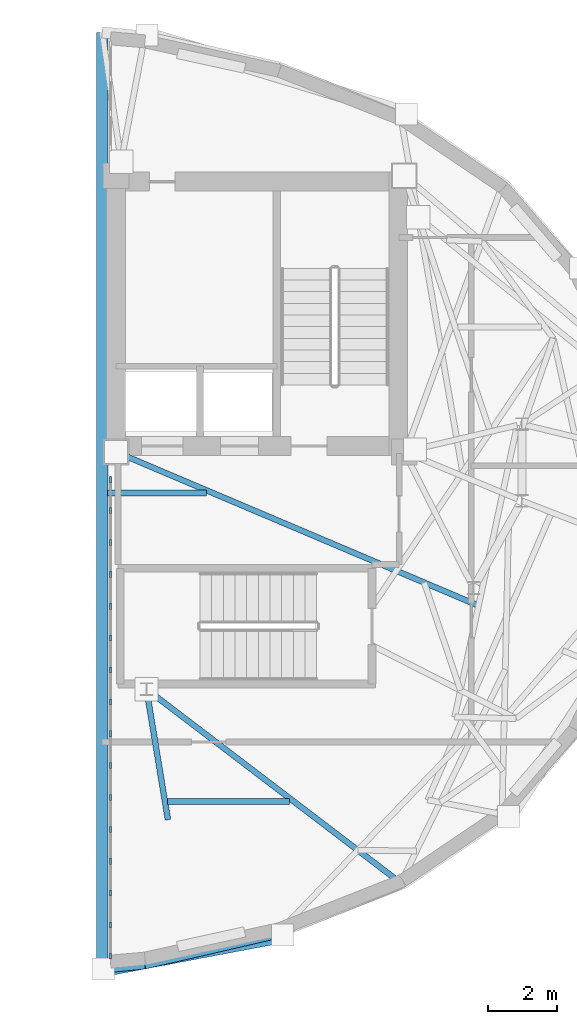
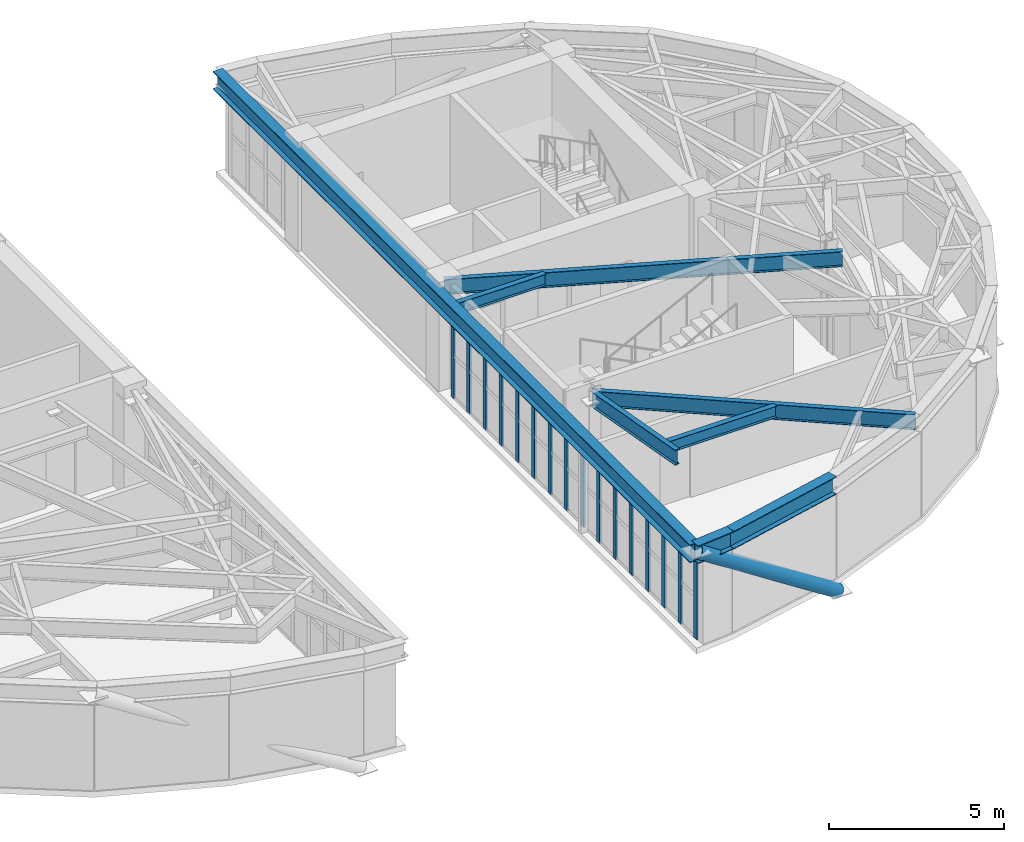
# One storey, part 3 of 13: 17 members, 8 beams, 1 element without a shape of its own.
"""IFC4 building model written with IfcOpenShell, lengths in metres."""

from ifc_helpers import new_model, si_unit, direction, frame, origin, origin_2d, place, context, subcontext, project, spatial, rectangle, hollow_circle, i_section, extrude, material, layer, layer_set, material_profile, profile_set, type_object, element, aggregate, save


model = new_model("IFC4")

# Units and contexts
model_context = context("Model", 3, precision=1e-05, world=origin(), true_north=direction((0.0, 1.0)))
body_context = subcontext(model_context, "Body", "Model", "MODEL_VIEW")
ifc_project = project(units=[si_unit("LENGTHUNIT", "METRE"), si_unit("AREAUNIT", "SQUARE_METRE"), si_unit("VOLUMEUNIT", "CUBIC_METRE"), si_unit("PLANEANGLEUNIT", "RADIAN"), si_unit("MASSUNIT", "GRAM", prefix="KILO")], contexts=[model_context])

# Site, building, storey
site_placement = place(None, origin())
site = spatial("IfcSite", under=ifc_project, at=site_placement, CompositionType="ELEMENT")
building_placement = place(site_placement, origin())
building = spatial("IfcBuilding", under=site, at=building_placement, Name="Keldmark Tower", CompositionType="ELEMENT")
storey_placement = place(building_placement, frame((0.0, 0.0, 273.0)))
storey = spatial("IfcBuildingStorey", under=building, at=storey_placement, Name="L77", CompositionType="ELEMENT", Elevation=273.0)

# Beams
ifc_material_1 = material(Name="Steel ASTM A992 Grade 50", Category="steel")
ifc_material_profile_1 = material_profile(ifc_material_1, i_section(OverallWidth=0.177978515625, OverallDepth=0.403076171875, WebThickness=0.007568359375, FlangeThickness=0.010986328125, at=origin_2d()), Name="W16X36")
ifc_profile_set_1 = profile_set([ifc_material_profile_1], Name="Steel ASTM A992 Grade 50")
beam_type_1 = type_object("IfcBeamType", Name="Composite Floor Joist W16X36", PredefinedType="JOIST", material=ifc_profile_set_1)
beam_1_placement = place(storey_placement, frame((6.70263671875, -8.780029296875, 3.3984375), z_axis=(1.0, 0.0, 0.0), x_axis=(0.0, 1.0, 0.0)))
element("IfcBeam", 1, at=beam_1_placement, inside=storey, type_object=beam_type_1, Name="L77 Composite Floor Joist J01", PredefinedType="JOIST", context=body_context, shape_type="SweptSolid", body=[
    extrude(i_section(OverallWidth=0.177978515625, OverallDepth=0.403076171875, WebThickness=0.007568359375, FlangeThickness=0.010986328125, at=origin_2d()), origin(), (0.0, 0.0, 1.0), 3.548095703125),
])
beam_2_placement = place(storey_placement, frame((4.95458984375, 0.199951171875, 3.3984375), z_axis=(1.0, 0.0, 0.0), x_axis=(0.0, 1.0, 0.0)))
element("IfcBeam", 2, at=beam_2_placement, inside=storey, type_object=beam_type_1, Name="L77 Composite Floor Joist J02", PredefinedType="JOIST", context=body_context, shape_type="SweptSolid", body=[
    extrude(i_section(OverallWidth=0.177978515625, OverallDepth=0.403076171875, WebThickness=0.007568359375, FlangeThickness=0.010986328125, at=origin_2d()), origin(), (0.0, 0.0, 1.0), 2.876708984375),
])

# Member
ifc_material_2 = material(Name="Steel ASTM A572 Grade 50", Category="steel")
ifc_material_profile_2 = material_profile(ifc_material_2, hollow_circle(Radius=0.22509765625, WallThickness=0.02197265625, at=origin_2d()), Name="CHS450X22")
ifc_profile_set_2 = profile_set([ifc_material_profile_2], Name="Steel ASTM A572 Grade 50")
member_type_1 = type_object("IfcMemberType", Name="Crown Frame Brace CHS450X22", PredefinedType="USERDEFINED", material=ifc_profile_set_2)
member_1_placement = place(storey_placement, frame((10.05078125, -12.676513671875, -0.449951171875), z_axis=(-0.799038522357, -0.15130586281, 0.581931246514), x_axis=(0.186053609317, -0.982539594347, 0.0)))
element("IfcMember", 3, at=member_1_placement, inside=storey, type_object=member_type_1, Name="L77 Crown Frame Diagonal E12", ObjectType="CROWN FRAME", PredefinedType="USERDEFINED", context=body_context, shape_type="SweptSolid", body=[
    extrude(hollow_circle(Radius=0.22509765625, WallThickness=0.02197265625, at=origin_2d()), origin(), (0.0, 0.0, 1.0), 6.530029296875),
])

# Curtain wall, members
ifc_material_3 = material(Name="Unitized Thermally Broken Aluminum and Triple Low-E Glazing", Category="aluminium")
ifc_layer = layer(ifc_material_3, 0.219970703125)
ifc_layer_set = layer_set([ifc_layer], Name="Unitized Thermally Broken Aluminum and Triple Low-E Glazing")
curtain_wall_type = type_object("IfcCurtainWallType", Name="Split-Top Crown Lantern Curtain Wall System", PredefinedType="NOTDEFINED", material=ifc_layer_set)
curtain_wall_placement = place(storey_placement, origin())
curtain_wall = element("IfcCurtainWall", 4, at=curtain_wall_placement, inside=storey, type_object=curtain_wall_type, Name="L77 Split-Top Crown Lantern Curtain Wall System CW-L77-ES14-1", PredefinedType="NOTDEFINED")
ifc_material_4 = material(Name="Extruded Aluminum Alloy 6063-T6", Category="aluminium")
ifc_material_profile_3 = material_profile(ifc_material_4, rectangle(XDim=0.06005859375, YDim=0.179931640625, at=origin_2d()), Name="CWM60X180")
ifc_profile_set_3 = profile_set([ifc_material_profile_3], Name="Extruded Aluminum Alloy 6063-T6")
member_type_2 = type_object("IfcMemberType", Name="Curtain Wall Structural Mullion 60x180", PredefinedType="MULLION", material=ifc_profile_set_3)
member_2_placement = place(storey_placement, frame((5.0400390625, 0.591552734375, 0.0), z_axis=(0.0, 0.0, 1.0), x_axis=(1.0, 0.0, 0.0)))
member_2 = element("IfcMember", 5, at=member_2_placement, type_object=member_type_2, Name="CW mullion 1", PredefinedType="MULLION", context=body_context, shape_type="SweptSolid", body=[
    extrude(rectangle(XDim=0.06005859375, YDim=0.179931640625, at=origin_2d()), origin(), (0.0, 0.0, 1.0), 2.966064453125),
])
member_3_placement = place(storey_placement, frame((5.0400390625, -0.307373046875, 0.0), z_axis=(0.0, 0.0, 1.0), x_axis=(1.0, 0.0, 0.0)))
member_3 = element("IfcMember", 6, at=member_3_placement, type_object=member_type_2, Name="CW mullion 2", PredefinedType="MULLION", context=body_context, shape_type="SweptSolid", body=[
    extrude(rectangle(XDim=0.06005859375, YDim=0.179931640625, at=origin_2d()), origin(), (0.0, 0.0, 1.0), 2.966064453125),
])
member_4_placement = place(storey_placement, frame((5.0400390625, -1.236328125, 0.0), z_axis=(0.0, 0.0, 1.0), x_axis=(1.0, 0.0, 0.0)))
member_4 = element("IfcMember", 7, at=member_4_placement, type_object=member_type_2, Name="CW mullion 3", PredefinedType="MULLION", context=body_context, shape_type="SweptSolid", body=[
    extrude(rectangle(XDim=0.06005859375, YDim=0.179931640625, at=origin_2d()), origin(), (0.0, 0.0, 1.0), 2.966064453125),
])
member_5_placement = place(storey_placement, frame((5.0400390625, -2.165283203125, 0.0), z_axis=(0.0, 0.0, 1.0), x_axis=(1.0, 0.0, 0.0)))
member_5 = element("IfcMember", 8, at=member_5_placement, type_object=member_type_2, Name="CW mullion 4", PredefinedType="MULLION", context=body_context, shape_type="SweptSolid", body=[
    extrude(rectangle(XDim=0.06005859375, YDim=0.179931640625, at=origin_2d()), origin(), (0.0, 0.0, 1.0), 2.966064453125),
])
member_6_placement = place(storey_placement, frame((5.0400390625, -3.093994140625, 0.0), z_axis=(0.0, 0.0, 1.0), x_axis=(1.0, 0.0, 0.0)))
member_6 = element("IfcMember", 9, at=member_6_placement, type_object=member_type_2, Name="CW mullion 5", PredefinedType="MULLION", context=body_context, shape_type="SweptSolid", body=[
    extrude(rectangle(XDim=0.06005859375, YDim=0.179931640625, at=origin_2d()), origin(), (0.0, 0.0, 1.0), 2.966064453125),
])
member_7_placement = place(storey_placement, frame((5.0400390625, -4.02294921875, 0.0), z_axis=(0.0, 0.0, 1.0), x_axis=(1.0, 0.0, 0.0)))
member_7 = element("IfcMember", 10, at=member_7_placement, type_object=member_type_2, Name="CW mullion 6", PredefinedType="MULLION", context=body_context, shape_type="SweptSolid", body=[
    extrude(rectangle(XDim=0.06005859375, YDim=0.179931640625, at=origin_2d()), origin(), (0.0, 0.0, 1.0), 2.966064453125),
])
member_8_placement = place(storey_placement, frame((5.0400390625, -4.951904296875, 0.0), z_axis=(0.0, 0.0, 1.0), x_axis=(1.0, 0.0, 0.0)))
member_8 = element("IfcMember", 11, at=member_8_placement, type_object=member_type_2, Name="CW mullion 7", PredefinedType="MULLION", context=body_context, shape_type="SweptSolid", body=[
    extrude(rectangle(XDim=0.06005859375, YDim=0.179931640625, at=origin_2d()), origin(), (0.0, 0.0, 1.0), 2.966064453125),
])
member_9_placement = place(storey_placement, frame((5.0400390625, -5.880859375, 0.0), z_axis=(0.0, 0.0, 1.0), x_axis=(1.0, 0.0, 0.0)))
member_9 = element("IfcMember", 12, at=member_9_placement, type_object=member_type_2, Name="CW mullion 8", PredefinedType="MULLION", context=body_context, shape_type="SweptSolid", body=[
    extrude(rectangle(XDim=0.06005859375, YDim=0.179931640625, at=origin_2d()), origin(), (0.0, 0.0, 1.0), 2.966064453125),
])
member_10_placement = place(storey_placement, frame((5.0400390625, -6.809814453125, 0.0), z_axis=(0.0, 0.0, 1.0), x_axis=(1.0, 0.0, 0.0)))
member_10 = element("IfcMember", 13, at=member_10_placement, type_object=member_type_2, Name="CW mullion 9", PredefinedType="MULLION", context=body_context, shape_type="SweptSolid", body=[
    extrude(rectangle(XDim=0.06005859375, YDim=0.179931640625, at=origin_2d()), origin(), (0.0, 0.0, 1.0), 2.966064453125),
])
member_11_placement = place(storey_placement, frame((5.0400390625, -7.738525390625, 0.0), z_axis=(0.0, 0.0, 1.0), x_axis=(1.0, 0.0, 0.0)))
member_11 = element("IfcMember", 14, at=member_11_placement, type_object=member_type_2, Name="CW mullion 10", PredefinedType="MULLION", context=body_context, shape_type="SweptSolid", body=[
    extrude(rectangle(XDim=0.06005859375, YDim=0.179931640625, at=origin_2d()), origin(), (0.0, 0.0, 1.0), 2.966064453125),
])
member_12_placement = place(storey_placement, frame((5.0400390625, -8.66748046875, 0.0), z_axis=(0.0, 0.0, 1.0), x_axis=(1.0, 0.0, 0.0)))
member_12 = element("IfcMember", 15, at=member_12_placement, type_object=member_type_2, Name="CW mullion 11", PredefinedType="MULLION", context=body_context, shape_type="SweptSolid", body=[
    extrude(rectangle(XDim=0.06005859375, YDim=0.179931640625, at=origin_2d()), origin(), (0.0, 0.0, 1.0), 2.966064453125),
])
member_13_placement = place(storey_placement, frame((5.0400390625, -9.596435546875, 0.0), z_axis=(0.0, 0.0, 1.0), x_axis=(1.0, 0.0, 0.0)))
member_13 = element("IfcMember", 16, at=member_13_placement, type_object=member_type_2, Name="CW mullion 12", PredefinedType="MULLION", context=body_context, shape_type="SweptSolid", body=[
    extrude(rectangle(XDim=0.06005859375, YDim=0.179931640625, at=origin_2d()), origin(), (0.0, 0.0, 1.0), 2.966064453125),
])
member_14_placement = place(storey_placement, frame((5.0400390625, -10.525390625, 0.0), z_axis=(0.0, 0.0, 1.0), x_axis=(1.0, 0.0, 0.0)))
member_14 = element("IfcMember", 17, at=member_14_placement, type_object=member_type_2, Name="CW mullion 13", PredefinedType="MULLION", context=body_context, shape_type="SweptSolid", body=[
    extrude(rectangle(XDim=0.06005859375, YDim=0.179931640625, at=origin_2d()), origin(), (0.0, 0.0, 1.0), 2.966064453125),
])
member_15_placement = place(storey_placement, frame((5.0400390625, -11.4541015625, 0.0), z_axis=(0.0, 0.0, 1.0), x_axis=(1.0, 0.0, 0.0)))
member_15 = element("IfcMember", 18, at=member_15_placement, type_object=member_type_2, Name="CW mullion 14", PredefinedType="MULLION", context=body_context, shape_type="SweptSolid", body=[
    extrude(rectangle(XDim=0.06005859375, YDim=0.179931640625, at=origin_2d()), origin(), (0.0, 0.0, 1.0), 2.966064453125),
])
member_16_placement = place(storey_placement, frame((5.0400390625, -12.383056640625, 0.0), z_axis=(0.0, 0.0, 1.0), x_axis=(1.0, 0.0, 0.0)))
member_16 = element("IfcMember", 19, at=member_16_placement, type_object=member_type_2, Name="CW mullion 15", PredefinedType="MULLION", context=body_context, shape_type="SweptSolid", body=[
    extrude(rectangle(XDim=0.06005859375, YDim=0.179931640625, at=origin_2d()), origin(), (0.0, 0.0, 1.0), 2.966064453125),
])
member_17_placement = place(storey_placement, frame((5.0400390625, -13.281982421875, 0.0), z_axis=(0.0, 0.0, 1.0), x_axis=(1.0, 0.0, 0.0)))
member_17 = element("IfcMember", 20, at=member_17_placement, type_object=member_type_2, Name="CW mullion 16", PredefinedType="MULLION", context=body_context, shape_type="SweptSolid", body=[
    extrude(rectangle(XDim=0.06005859375, YDim=0.179931640625, at=origin_2d()), origin(), (0.0, 0.0, 1.0), 2.966064453125),
])
aggregate(curtain_wall, [member_2, member_3, member_4, member_5, member_6, member_7, member_8, member_9, member_10, member_11, member_12, member_13, member_14, member_15, member_16, member_17])

# Beams
ifc_material_5 = material(Name="Steel ASTM A992 Grade 50", Category="steel")
ifc_material_profile_4 = material_profile(ifc_material_5, i_section(OverallWidth=0.166015625, OverallDepth=0.529052734375, WebThickness=0.009765625, FlangeThickness=0.013671875, at=origin_2d()), Name="W21X50")
ifc_profile_set_4 = profile_set([ifc_material_profile_4], Name="Steel ASTM A992 Grade 50")
beam_type_2 = type_object("IfcBeamType", Name="Radial Tie Girder W21X50", PredefinedType="BEAM", material=ifc_profile_set_4)
beam_3_placement = place(storey_placement, frame((5.199951171875, 1.39990234375, 3.33544921875), z_axis=(0.920721273985, -0.390220880569, 0.0), x_axis=(0.390220880569, 0.920721273985, 0.0)))
element("IfcBeam", 21, at=beam_3_placement, inside=storey, type_object=beam_type_2, Name="L77 Framing Pin Header PH-001", PredefinedType="BEAM", context=body_context, shape_type="SweptSolid", body=[
    extrude(i_section(OverallWidth=0.166015625, OverallDepth=0.529052734375, WebThickness=0.009765625, FlangeThickness=0.013671875, at=origin_2d()), origin(), (0.0, 0.0, 1.0), 11.474365234375),
])
beam_4_placement = place(storey_placement, frame((6.089599609375, -5.512939453125, 3.33544921875), z_axis=(0.795447965231, -0.606021892847, 0.0), x_axis=(0.606021892847, 0.795447965231, 0.0)))
element("IfcBeam", 22, at=beam_4_placement, inside=storey, type_object=beam_type_2, Name="L77 Straddling Support Chord CRT-E13RB", PredefinedType="BEAM", context=body_context, shape_type="SweptSolid", body=[
    extrude(i_section(OverallWidth=0.166015625, OverallDepth=0.529052734375, WebThickness=0.009765625, FlangeThickness=0.013671875, at=origin_2d()), origin(), (0.0, 0.0, 1.0), 9.314453125),
])
beam_5_placement = place(storey_placement, frame((6.089599609375, -5.512939453125, 3.33544921875), z_axis=(0.162190550575, -0.986759456658, 0.0), x_axis=(0.986759456658, 0.162190550575, 0.0)))
element("IfcBeam", 23, at=beam_5_placement, inside=storey, type_object=beam_type_2, Name="L77 Column Step Bracket CRT-E14RS", PredefinedType="BEAM", context=body_context, shape_type="SweptSolid", body=[
    extrude(i_section(OverallWidth=0.166015625, OverallDepth=0.529052734375, WebThickness=0.009765625, FlangeThickness=0.013671875, at=origin_2d()), origin(), (0.0, 0.0, 1.0), 3.85498046875),
])
ifc_material_6 = material(Name="Steel ASTM A992 Grade 50", Category="steel")
ifc_material_profile_5 = material_profile(ifc_material_6, i_section(OverallWidth=0.326904296875, OverallDepth=0.6220703125, WebThickness=0.015380859375, FlangeThickness=0.0244140625, at=origin_2d()), Name="W24X131")
ifc_profile_set_5 = profile_set([ifc_material_profile_5], Name="Steel ASTM A992 Grade 50")
beam_type_3 = type_object("IfcBeamType", Name="Spandrel Ring Beam W24X131", PredefinedType="SPANDREL", material=ifc_profile_set_5)
beam_6_placement = place(storey_placement, frame((9.931396484375, -12.603759765625, 3.2890625), z_axis=(-0.974451914875, -0.224596227919, 0.0), x_axis=(0.224596227919, -0.974451914875, 0.0)))
element("IfcBeam", 24, at=beam_6_placement, inside=storey, type_object=beam_type_3, Name="L77 Crown Spandrel Ring Beam CRB-E13", PredefinedType="SPANDREL", context=body_context, shape_type="SweptSolid", body=[
    extrude(i_section(OverallWidth=0.326904296875, OverallDepth=0.6220703125, WebThickness=0.015380859375, FlangeThickness=0.0244140625, at=origin_2d()), origin(), (0.0, 0.0, 1.0), 3.995849609375),
])
beam_7_placement = place(storey_placement, frame((6.03759765625, -13.501220703125, 3.2890625), z_axis=(-0.995151211897, -0.098356827216, 0.0), x_axis=(0.098356827216, -0.995151211897, 0.0)))
element("IfcBeam", 25, at=beam_7_placement, inside=storey, type_object=beam_type_3, Name="L77 Crown Spandrel Ring Beam CRB-E14", PredefinedType="SPANDREL", context=body_context, shape_type="SweptSolid", body=[
    extrude(i_section(OverallWidth=0.326904296875, OverallDepth=0.6220703125, WebThickness=0.015380859375, FlangeThickness=0.0244140625, at=origin_2d()), origin(), (0.0, 0.0, 1.0), 1.24365234375),
])
beam_8_placement = place(storey_placement, frame((4.800048828125, -13.62353515625, 3.2890625), z_axis=(0.0, 1.0, 0.0), x_axis=(-1.0, 0.0, 0.0)))
element("IfcBeam", 26, at=beam_8_placement, inside=storey, type_object=beam_type_3, Name="L77 Crown Spandrel Ring Beam CRB-E15", PredefinedType="SPANDREL", context=body_context, shape_type="SweptSolid", body=[
    extrude(i_section(OverallWidth=0.326904296875, OverallDepth=0.6220703125, WebThickness=0.015380859375, FlangeThickness=0.0244140625, at=origin_2d()), origin(), (0.0, 0.0, 1.0), 27.2470703125),
])

save(model, "model.ifc")
